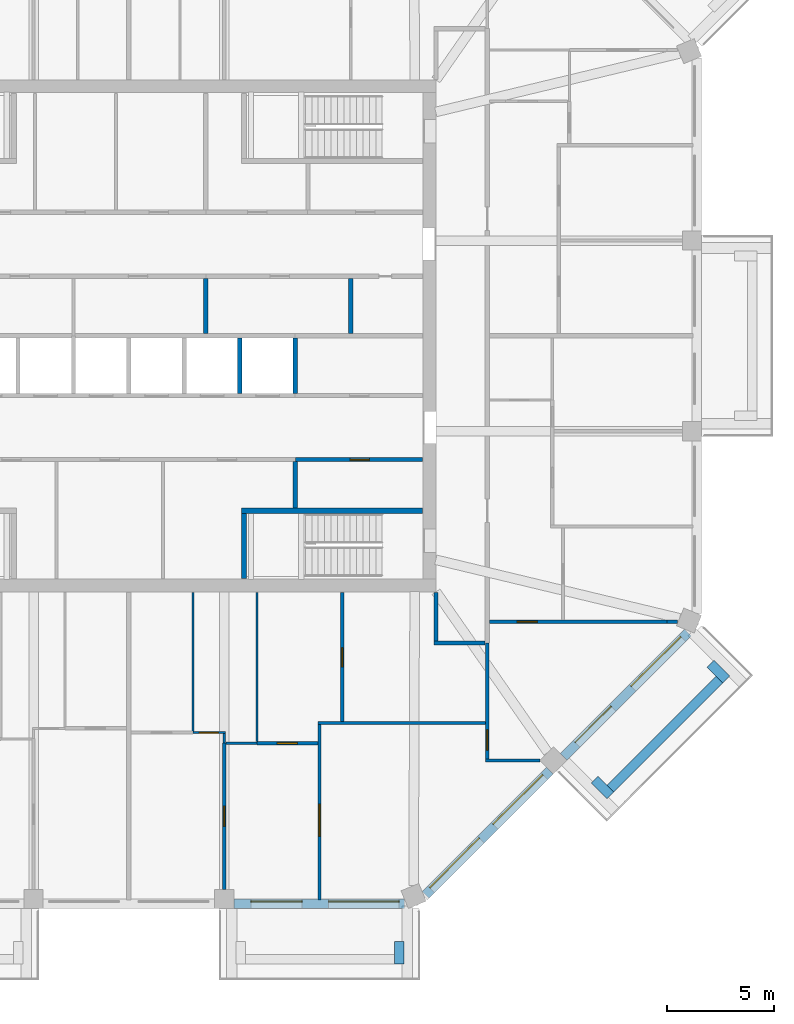
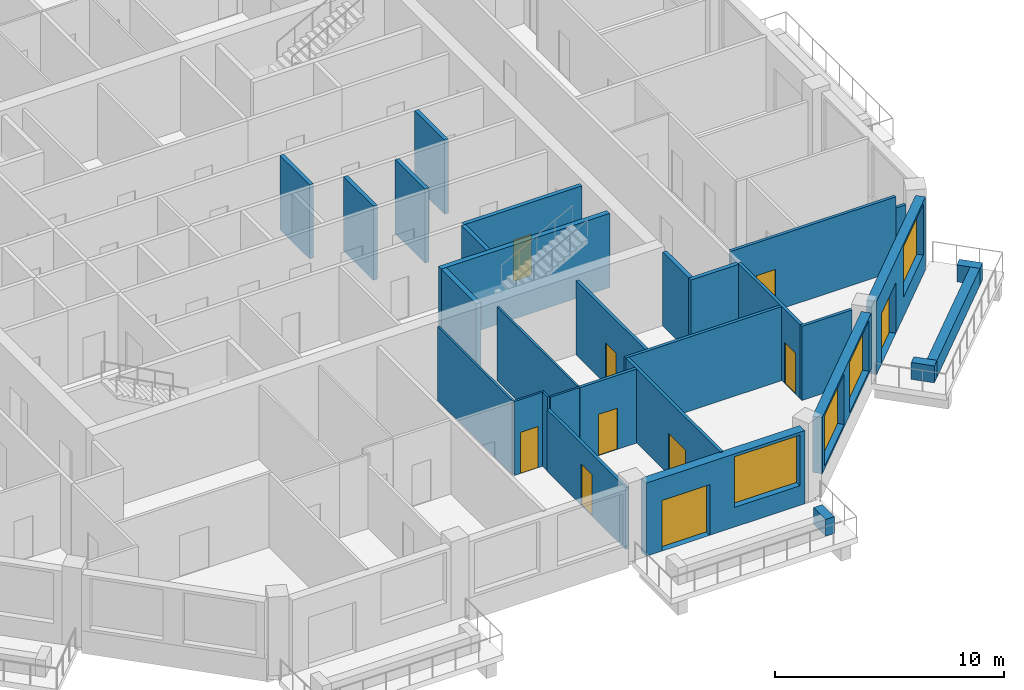
# One storey, part 5 of 12: 31 walls, 10 doors, 4 windows, 14 openings.
"""IFC4 building model written with IfcOpenShell, lengths in metres."""

from ifc_helpers import new_model, si_unit, direction, frame, frame_2d, origin, place, context, subcontext, project, spatial, rectangle, extrude, material, layer, layer_set, type_object, element, fill, save


model = new_model("IFC4")

# Units and contexts
model_context = context("Model", 3, precision=1e-05, world=origin(), true_north=direction((0.0, 1.0)))
body_context = subcontext(model_context, "Body", "Model", "MODEL_VIEW")
ifc_project = project(units=[si_unit("LENGTHUNIT", "METRE"), si_unit("AREAUNIT", "SQUARE_METRE"), si_unit("VOLUMEUNIT", "CUBIC_METRE"), si_unit("PLANEANGLEUNIT", "RADIAN"), si_unit("MASSUNIT", "GRAM", prefix="KILO")], contexts=[model_context])

# Site, building, storey
site_placement = place(None, origin())
site = spatial("IfcSite", under=ifc_project, at=site_placement, CompositionType="ELEMENT")
building_placement = place(site_placement, origin())
building = spatial("IfcBuilding", under=site, at=building_placement, Name="Msitu Wima Residences", CompositionType="ELEMENT")
storey_placement = place(building_placement, frame((0.0, 0.0, 255.89990234375)))
storey = spatial("IfcBuildingStorey", under=building, at=storey_placement, Name="L59", CompositionType="ELEMENT", Elevation=255.89990234375)

# Walls
ifc_material_1 = material(Name="Facing brick")
ifc_layer_1 = layer(ifc_material_1, 0.06494140625, Name="Facing brick")
ifc_material_2 = material(Name="Concrete C40/50", Category="concrete")
ifc_layer_2 = layer(ifc_material_2, 0.156005859375, Name="Concrete C40/50")
ifc_material_3 = material(Name="Waterproofing membrane")
ifc_layer_3 = layer(ifc_material_3, 0.00390625, Name="Waterproofing membrane")
ifc_material_4 = material(Name="Planting soil and planting")
ifc_layer_4 = layer(ifc_material_4, 0.22509765625, Name="Planting soil and planting")
ifc_layer_set_1 = layer_set([ifc_layer_1, ifc_layer_2, ifc_layer_3, ifc_layer_4], Name="Concrete C40/50")
wall_type_1 = type_object("IfcWallType", Name="Balcony planter PLANTER PL450", PredefinedType="USERDEFINED", material=ifc_layer_set_1)
wall_1_placement = place(storey_placement, frame((12.680908203125, -28.39990234375, 0.0), z_axis=(0.0, 0.0, 1.0), x_axis=(0.0, -1.0, 0.0)))
element("IfcWall", 1, at=wall_1_placement, inside=storey, type_object=wall_type_1, Name="Balcony planter S2 L59", ObjectType="PLANTER", PredefinedType="USERDEFINED", context=body_context, shape_type="SweptSolid", body=[
    extrude(rectangle(XDim=1.050048828125, YDim=0.449951171875, at=frame_2d((0.52490234375, 0.0))), origin(), (0.0, 0.0, 1.0), 0.900146484375),
])
wall_2_placement = place(storey_placement, frame((22.572265625, -21.228759765625, 0.0), z_axis=(0.0, 0.0, 1.0), x_axis=(0.707106781187, 0.707106781187, 0.0)))
element("IfcWall", 2, at=wall_2_placement, inside=storey, type_object=wall_type_1, Name="Balcony planter SE1 L59", ObjectType="PLANTER", PredefinedType="USERDEFINED", context=body_context, shape_type="SweptSolid", body=[
    extrude(rectangle(XDim=7.23828125, YDim=0.449951171875, at=frame_2d((3.619140625, 0.0))), origin(), (0.0, 0.0, 1.0), 0.900146484375),
])
for number, where, z_axis, x_axis, name in (
    (3, (21.829833984375, -20.804443359375, 0.0), (0.0, 0.0, 1.0), (0.707106781187, -0.707106781187, 0.0), "Balcony planter SE1 L59"),
    (4, (27.26611328125, -15.3681640625, 0.0), (0.0, 0.0, 1.0), (0.707223014731, -0.706990528533, 0.0), "Balcony planter SE1 L59"),
):
    element("IfcWall", number, at=place(storey_placement, frame(where, z_axis=z_axis, x_axis=x_axis)), inside=storey, type_object=wall_type_1, Name=name, ObjectType="PLANTER", PredefinedType="USERDEFINED", context=body_context, shape_type="SweptSolid", body=[
        extrude(rectangle(XDim=1.050048828125, YDim=0.449951171875, at=frame_2d((0.52490234375, 0.0))), origin(), (0.0, 0.0, 1.0), 0.900146484375),
    ])

# Wall, openings, door, window
ifc_material_5 = material(Name="Brick (red buff mix)", Category="masonry")
ifc_layer_5 = layer(ifc_material_5, 0.449951171875)
ifc_layer_set_2 = layer_set([ifc_layer_5], Name="Brick (red buff mix)")
wall_type_2 = type_object("IfcWallType", Name="Brick infill wall BW450", PredefinedType="SOLIDWALL", material=ifc_layer_set_2)
wall_3_placement = place(storey_placement, frame((4.918701171875, -26.625, 0.0), z_axis=(0.0, 0.0, 1.0), x_axis=(1.0, 0.0, 0.0)))
wall_3 = element("IfcWall", 5, at=wall_3_placement, inside=storey, type_object=wall_type_2, Name="Brick infill wall L59 S2", PredefinedType="SOLIDWALL", context=body_context, shape_type="SweptSolid", body=[
    extrude(rectangle(XDim=8.0, YDim=0.449951171875, at=frame_2d((4.0, 0.0))), origin(), (0.0, 0.0, 1.0), 3.900146484375),
])
opening_1_placement = place(wall_3_placement, frame((0.800048828125, 0.0, 0.0)))
opening_1 = element("IfcOpeningElement", 6, at=opening_1_placement, cuts=wall_3, Name="Opening D57-59.007", PredefinedType="OPENING", context=body_context, shape_type="SweptSolid", body=[
    extrude(rectangle(XDim=2.39990234375, YDim=2.699951171875, at=frame_2d((1.199951171875, 1.35009765625))), frame((0.0, 0.23486328125, 0.0), z_axis=(0.0, -1.0, 0.0), x_axis=(1.0, 0.0, 0.0)), (0.0, 0.0, 1.0), 0.469970703125),
])
opening_2_placement = place(wall_3_placement, frame((4.4501953125, 0.0, 1.050048828125)))
opening_2 = element("IfcOpeningElement", 7, at=opening_2_placement, cuts=wall_3, Name="Opening W57-59.019", PredefinedType="OPENING", context=body_context, shape_type="SweptSolid", body=[
    extrude(rectangle(XDim=3.300048828125, YDim=2.699951171875, at=frame_2d((1.64990234375, 1.35009765625))), frame((0.0, 0.23486328125, 0.0), z_axis=(0.0, -1.0, 0.0), x_axis=(1.0, 0.0, 0.0)), (0.0, 0.0, 1.0), 0.469970703125),
])
ifc_material_6 = material(Name="Anodised aluminium, bronze finish, clear low-emissivity double glazing", Category="aluminium")
door_type_1 = type_object("IfcDoorType", Name="Balcony door D2400x2700", OperationType="SLIDING_TO_LEFT", PredefinedType="DOOR", material=ifc_material_6)
door_1_placement = place(opening_1_placement, origin())
door_1 = element("IfcDoor", 8, at=door_1_placement, inside=storey, type_object=door_type_1, Name="Balcony door L59 S2", OperationType="SINGLE_SWING_LEFT", OverallHeight=2.699951171875, OverallWidth=2.39990234375, PredefinedType="DOOR", context=body_context, shape_type="SweptSolid", body=[
    extrude(rectangle(XDim=2.39990234375, YDim=2.699951171875, at=frame_2d((1.199951171875, 1.35009765625))), frame((0.0, 0.1298828125, 0.0), z_axis=(0.0, -1.0, 0.0), x_axis=(1.0, 0.0, 0.0)), (0.0, 0.0, 1.0), 0.050048828125),
])
fill(opening_1, door_1)
window_type = type_object("IfcWindowType", Name="Window W3300x2700", PartitioningType="DOUBLE_PANEL_VERTICAL", PredefinedType="WINDOW", material=ifc_material_6)
window_1_placement = place(opening_2_placement, origin())
window_1 = element("IfcWindow", 9, at=window_1_placement, inside=storey, type_object=window_type, Name="Window L59 S2.2", OverallHeight=2.699951171875, OverallWidth=3.300048828125, PartitioningType="SINGLE_PANEL", PredefinedType="WINDOW", context=body_context, shape_type="SweptSolid", body=[
    extrude(rectangle(XDim=3.300048828125, YDim=2.699951171875, at=frame_2d((1.64990234375, 1.35009765625))), frame((0.0, 0.135009765625, 0.0), z_axis=(0.0, -1.0, 0.0), x_axis=(1.0, 0.0, 0.0)), (0.0, 0.0, 1.0), 0.06005859375),
])
fill(opening_2, window_1)

# Wall, openings, windows
wall_4_placement = place(storey_placement, frame((13.909423828125, -26.214599609375, 0.900146484375), z_axis=(0.0, 0.0, 1.0), x_axis=(0.707106781187, 0.707106781187, 0.0)))
wall_4 = element("IfcWall", 10, at=wall_4_placement, inside=storey, type_object=wall_type_2, Name="Brick infill wall L59 SE0", PredefinedType="SOLIDWALL", context=body_context, shape_type="SweptSolid", body=[
    extrude(rectangle(XDim=8.251220703125, YDim=0.449951171875, at=frame_2d((4.12548828125, 0.0))), origin(), (0.0, 0.0, 1.0), 3.0),
])
opening_3_placement = place(wall_4_placement, frame((0.37548828125, 0.0, 0.14990234375)))
opening_3 = element("IfcOpeningElement", 11, at=opening_3_placement, cuts=wall_4, Name="Opening W57-59.020", PredefinedType="OPENING", context=body_context, shape_type="SweptSolid", body=[
    extrude(rectangle(XDim=3.300048828125, YDim=2.699951171875, at=frame_2d((1.64990234375, 1.35009765625))), frame((0.0, 0.23486328125, 0.0), z_axis=(0.0, -1.0, 0.0), x_axis=(1.0, 0.0, 0.0)), (0.0, 0.0, 1.0), 0.469970703125),
])
opening_4_placement = place(wall_4_placement, frame((4.57568359375, 0.0, 0.14990234375)))
opening_4 = element("IfcOpeningElement", 12, at=opening_4_placement, cuts=wall_4, Name="Opening W57-59.021", PredefinedType="OPENING", context=body_context, shape_type="SweptSolid", body=[
    extrude(rectangle(XDim=3.300048828125, YDim=2.699951171875, at=frame_2d((1.64990234375, 1.35009765625))), frame((0.0, 0.23486328125, 0.0), z_axis=(0.0, -1.0, 0.0), x_axis=(1.0, 0.0, 0.0)), (0.0, 0.0, 1.0), 0.469970703125),
])
window_2_placement = place(opening_3_placement, origin())
window_2 = element("IfcWindow", 13, at=window_2_placement, inside=storey, type_object=window_type, Name="Window L59 SE0.1", OverallHeight=2.699951171875, OverallWidth=3.300048828125, PartitioningType="SINGLE_PANEL", PredefinedType="WINDOW", context=body_context, shape_type="SweptSolid", body=[
    extrude(rectangle(XDim=3.300048828125, YDim=2.699951171875, at=frame_2d((1.64990234375, 1.35009765625))), frame((0.0, 0.135009765625, 0.0), z_axis=(0.0, -1.0, 0.0), x_axis=(1.0, 0.0, 0.0)), (0.0, 0.0, 1.0), 0.06005859375),
])
fill(opening_3, window_2)
window_3_placement = place(opening_4_placement, origin())
window_3 = element("IfcWindow", 14, at=window_3_placement, inside=storey, type_object=window_type, Name="Window L59 SE0.2", OverallHeight=2.699951171875, OverallWidth=3.300048828125, PartitioningType="SINGLE_PANEL", PredefinedType="WINDOW", context=body_context, shape_type="SweptSolid", body=[
    extrude(rectangle(XDim=3.300048828125, YDim=2.699951171875, at=frame_2d((1.64990234375, 1.35009765625))), frame((0.0, 0.135009765625, 0.0), z_axis=(0.0, -1.0, 0.0), x_axis=(1.0, 0.0, 0.0)), (0.0, 0.0, 1.0), 0.06005859375),
])
fill(opening_4, window_3)

# Wall, openings, door, window
wall_5_placement = place(storey_placement, frame((20.380126953125, -19.743896484375, 0.0), z_axis=(0.0, 0.0, 1.0), x_axis=(0.707106781187, 0.707106781187, 0.0)))
wall_5 = element("IfcWall", 15, at=wall_5_placement, inside=storey, type_object=wall_type_2, Name="Brick infill wall L59 SE1", PredefinedType="SOLIDWALL", context=body_context, shape_type="SweptSolid", body=[
    extrude(rectangle(XDim=8.251220703125, YDim=0.449951171875, at=frame_2d((4.12548828125, 0.0))), origin(), (0.0, 0.0, 1.0), 3.900146484375),
])
opening_5_placement = place(wall_5_placement, frame((0.86279296875, 0.0, 0.0)))
opening_5 = element("IfcOpeningElement", 16, at=opening_5_placement, cuts=wall_5, Name="Opening D57-59.008", PredefinedType="OPENING", context=body_context, shape_type="SweptSolid", body=[
    extrude(rectangle(XDim=2.39990234375, YDim=2.699951171875, at=frame_2d((1.199951171875, 1.35009765625))), frame((0.0, 0.23486328125, 0.0), z_axis=(0.0, -1.0, 0.0), x_axis=(1.0, 0.0, 0.0)), (0.0, 0.0, 1.0), 0.469970703125),
])
opening_6_placement = place(wall_5_placement, frame((4.57568359375, 0.0, 1.050048828125)))
opening_6 = element("IfcOpeningElement", 17, at=opening_6_placement, cuts=wall_5, Name="Opening W57-59.022", PredefinedType="OPENING", context=body_context, shape_type="SweptSolid", body=[
    extrude(rectangle(XDim=3.300048828125, YDim=2.699951171875, at=frame_2d((1.64990234375, 1.35009765625))), frame((0.0, 0.23486328125, 0.0), z_axis=(0.0, -1.0, 0.0), x_axis=(1.0, 0.0, 0.0)), (0.0, 0.0, 1.0), 0.469970703125),
])
door_2_placement = place(opening_5_placement, origin())
door_2 = element("IfcDoor", 18, at=door_2_placement, inside=storey, type_object=door_type_1, Name="Balcony door L59 SE1", OperationType="SINGLE_SWING_LEFT", OverallHeight=2.699951171875, OverallWidth=2.39990234375, PredefinedType="DOOR", context=body_context, shape_type="SweptSolid", body=[
    extrude(rectangle(XDim=2.39990234375, YDim=2.699951171875, at=frame_2d((1.199951171875, 1.35009765625))), frame((0.0, 0.1298828125, 0.0), z_axis=(0.0, -1.0, 0.0), x_axis=(1.0, 0.0, 0.0)), (0.0, 0.0, 1.0), 0.050048828125),
])
fill(opening_5, door_2)
window_4_placement = place(opening_6_placement, origin())
window_4 = element("IfcWindow", 19, at=window_4_placement, inside=storey, type_object=window_type, Name="Window L59 SE1.2", OverallHeight=2.699951171875, OverallWidth=3.300048828125, PartitioningType="SINGLE_PANEL", PredefinedType="WINDOW", context=body_context, shape_type="SweptSolid", body=[
    extrude(rectangle(XDim=3.300048828125, YDim=2.699951171875, at=frame_2d((1.64990234375, 1.35009765625))), frame((0.0, 0.135009765625, 0.0), z_axis=(0.0, -1.0, 0.0), x_axis=(1.0, 0.0, 0.0)), (0.0, 0.0, 1.0), 0.06005859375),
])
fill(opening_6, window_4)

# Walls
ifc_material_7 = material(Name="Plaster")
ifc_layer_6 = layer(ifc_material_7, 0.011962890625, Name="Plaster")
ifc_material_8 = material(Name="Concrete blockwork", Category="masonry")
ifc_layer_7 = layer(ifc_material_8, 0.176025390625, Name="Concrete blockwork")
ifc_layer_8 = layer(ifc_material_7, 0.011962890625, Name="Plaster")
ifc_layer_set_3 = layer_set([ifc_layer_6, ifc_layer_7, ifc_layer_8], Name="Concrete blockwork")
wall_type_3 = type_object("IfcWallType", Name="Corridor wall FW200", PredefinedType="PARTITIONING", material=ifc_layer_set_3)
wall_6_placement = place(storey_placement, frame((14.39990234375, -14.300048828125, 0.0), z_axis=(0.0, 0.0, 1.0), x_axis=(0.0, 1.0, 0.0)))
element("IfcWall", 20, at=wall_6_placement, inside=storey, type_object=wall_type_3, Name="Corridor wall", PredefinedType="PARTITIONING", context=body_context, shape_type="SweptSolid", body=[
    extrude(rectangle(XDim=2.27001953125, YDim=0.199951171875, at=frame_2d((1.135009765625, 0.0))), origin(), (0.0, 0.0, 1.0), 3.9501953125),
])
wall_7_placement = place(storey_placement, frame((14.300048828125, -14.39990234375, 0.0), z_axis=(0.0, 0.0, 1.0), x_axis=(1.0, 0.0, 0.0)))
element("IfcWall", 21, at=wall_7_placement, inside=storey, type_object=wall_type_3, Name="Corridor wall", PredefinedType="PARTITIONING", context=body_context, shape_type="SweptSolid", body=[
    extrude(rectangle(XDim=2.39990234375, YDim=0.199951171875, at=frame_2d((1.199951171875, 0.0))), origin(), (0.0, 0.0, 1.0), 3.9501953125),
])

# Wall, opening, door
ifc_layer_9 = layer(ifc_material_7, 0.011962890625, Name="Plaster")
ifc_layer_10 = layer(ifc_material_8, 0.1259765625, Name="Concrete blockwork")
ifc_layer_11 = layer(ifc_material_7, 0.011962890625, Name="Plaster")
ifc_layer_set_4 = layer_set([ifc_layer_9, ifc_layer_10, ifc_layer_11], Name="Concrete blockwork")
wall_type_4 = type_object("IfcWallType", Name="Partition PW150", PredefinedType="PARTITIONING", material=ifc_layer_set_4)
wall_8_placement = place(storey_placement, frame((4.46875, -25.949951171875, 0.0), z_axis=(0.0, 0.0, 1.0), x_axis=(0.0, 1.0, 0.0)))
wall_8 = element("IfcWall", 22, at=wall_8_placement, inside=storey, type_object=wall_type_4, Name="Partition", PredefinedType="PARTITIONING", context=body_context, shape_type="SweptSolid", body=[
    extrude(rectangle(XDim=6.869873046875, YDim=0.14990234375, at=frame_2d((3.43505859375, 0.0))), origin(), (0.0, 0.0, 1.0), 3.300048828125),
])
opening_7_placement = place(wall_8_placement, frame((2.949951171875, 0.0, 0.0)))
opening_7 = element("IfcOpeningElement", 23, at=opening_7_placement, cuts=wall_8, Name="Opening D57-59.052", PredefinedType="OPENING", context=body_context, shape_type="SweptSolid", body=[
    extrude(rectangle(XDim=0.949951171875, YDim=2.199951171875, at=frame_2d((0.47509765625, 1.10009765625))), frame((0.0, 0.0849609375, 0.0), z_axis=(0.0, -1.0, 0.0), x_axis=(1.0, 0.0, 0.0)), (0.0, 0.0, 1.0), 0.169921875),
])
ifc_material_9 = material(Name="Timber flush door", Category="wood")
door_type_2 = type_object("IfcDoorType", Name="Room door D12 950x2200", OperationType="SINGLE_SWING_LEFT", PredefinedType="DOOR", material=ifc_material_9)
door_3_placement = place(opening_7_placement, origin())
door_3 = element("IfcDoor", 24, at=door_3_placement, inside=storey, type_object=door_type_2, Name="Room door", OperationType="SINGLE_SWING_LEFT", OverallHeight=2.199951171875, OverallWidth=0.949951171875, PredefinedType="DOOR", context=body_context, shape_type="SweptSolid", body=[
    extrude(rectangle(XDim=0.949951171875, YDim=2.199951171875, at=frame_2d((0.47509765625, 1.10009765625))), frame((0.0, 0.02490234375, 0.0), z_axis=(0.0, -1.0, 0.0), x_axis=(1.0, 0.0, 0.0)), (0.0, 0.0, 1.0), 0.050048828125),
])
fill(opening_7, door_3)

wall_9_placement = place(storey_placement, frame((6.0, -19.10009765625, 0.0), z_axis=(0.0, 0.0, 1.0), x_axis=(1.0, 0.0, 0.0)))
wall_9 = element("IfcWall", 25, at=wall_9_placement, inside=storey, type_object=wall_type_4, Name="Partition", PredefinedType="PARTITIONING", context=body_context, shape_type="SweptSolid", body=[
    extrude(rectangle(XDim=2.8623046875, YDim=0.14990234375, at=frame_2d((1.43115234375, 0.0))), origin(), (0.0, 0.0, 1.0), 3.9501953125),
])
opening_8_placement = place(wall_9_placement, frame((0.949951171875, 0.0, 0.0)))
opening_8 = element("IfcOpeningElement", 26, at=opening_8_placement, cuts=wall_9, Name="Opening D57-59.061", PredefinedType="OPENING", context=body_context, shape_type="SweptSolid", body=[
    extrude(rectangle(XDim=0.949951171875, YDim=2.199951171875, at=frame_2d((0.47509765625, 1.10009765625))), frame((0.0, 0.0849609375, 0.0), z_axis=(0.0, -1.0, 0.0), x_axis=(1.0, 0.0, 0.0)), (0.0, 0.0, 1.0), 0.169921875),
])
door_4_placement = place(opening_8_placement, origin())
door_4 = element("IfcDoor", 27, at=door_4_placement, inside=storey, type_object=door_type_2, Name="Room door", OperationType="SINGLE_SWING_LEFT", OverallHeight=2.199951171875, OverallWidth=0.949951171875, PredefinedType="DOOR", context=body_context, shape_type="SweptSolid", body=[
    extrude(rectangle(XDim=0.949951171875, YDim=2.199951171875, at=frame_2d((0.47509765625, 1.10009765625))), frame((0.0, 0.02490234375, 0.0), z_axis=(0.0, -1.0, 0.0), x_axis=(1.0, 0.0, 0.0)), (0.0, 0.0, 1.0), 0.050048828125),
])
fill(opening_8, door_4)

wall_10_placement = place(storey_placement, frame((8.937255859375, -26.455078125, 0.0), z_axis=(0.0, 0.0, 1.0), x_axis=(0.0, 1.0, 0.0)))
wall_10 = element("IfcWall", 28, at=wall_10_placement, inside=storey, type_object=wall_type_4, Name="Partition", PredefinedType="PARTITIONING", context=body_context, shape_type="SweptSolid", body=[
    extrude(rectangle(XDim=8.22998046875, YDim=0.14990234375, at=frame_2d((4.114990234375, 0.0))), origin(), (0.0, 0.0, 1.0), 3.9501953125),
])
opening_9_placement = place(wall_10_placement, frame((3.0, 0.0, 0.0)))
opening_9 = element("IfcOpeningElement", 29, at=opening_9_placement, cuts=wall_10, Name="Opening D57-59.060", PredefinedType="OPENING", context=body_context, shape_type="SweptSolid", body=[
    extrude(rectangle(XDim=1.5, YDim=2.199951171875, at=frame_2d((0.75, 1.10009765625))), frame((0.0, 0.0849609375, 0.0), z_axis=(0.0, -1.0, 0.0), x_axis=(1.0, 0.0, 0.0)), (0.0, 0.0, 1.0), 0.169921875),
])
ifc_material_10 = material(Name="Timber double door", Category="wood")
door_type_3 = type_object("IfcDoorType", Name="Double door D04 1500x2200", OperationType="DOUBLE_DOOR_SINGLE_SWING", PredefinedType="DOOR", material=ifc_material_10)
door_5_placement = place(opening_9_placement, origin())
door_5 = element("IfcDoor", 30, at=door_5_placement, inside=storey, type_object=door_type_3, Name="Double door", OperationType="DOUBLE_DOOR_SINGLE_SWING", OverallHeight=2.199951171875, OverallWidth=1.5, PredefinedType="DOOR", context=body_context, shape_type="SweptSolid", body=[
    extrude(rectangle(XDim=1.5, YDim=2.199951171875, at=frame_2d((0.75, 1.10009765625))), frame((0.0, 0.02490234375, 0.0), z_axis=(0.0, -1.0, 0.0), x_axis=(1.0, 0.0, 0.0)), (0.0, 0.0, 1.0), 0.050048828125),
])
fill(opening_9, door_5)

# Wall
wall_11_placement = place(storey_placement, frame((8.8623046875, -18.14990234375, 0.0), z_axis=(0.0, 0.0, 1.0), x_axis=(1.0, 0.0, 0.0)))
element("IfcWall", 31, at=wall_11_placement, inside=storey, type_object=wall_type_4, Name="Partition", PredefinedType="PARTITIONING", context=body_context, shape_type="SweptSolid", body=[
    extrude(rectangle(XDim=7.86279296875, YDim=0.14990234375, at=frame_2d((3.931396484375, 0.0))), origin(), (0.0, 0.0, 1.0), 3.9501953125),
])

# Wall, opening, door
wall_12_placement = place(storey_placement, frame((10.0, -18.074951171875, 0.0), z_axis=(0.0, 0.0, 1.0), x_axis=(0.0, 1.0, 0.0)))
wall_12 = element("IfcWall", 32, at=wall_12_placement, inside=storey, type_object=wall_type_4, Name="Partition", PredefinedType="PARTITIONING", context=body_context, shape_type="SweptSolid", body=[
    extrude(rectangle(XDim=6.044921875, YDim=0.14990234375, at=frame_2d((3.0224609375, 0.0))), origin(), (0.0, 0.0, 1.0), 3.9501953125),
])
opening_10_placement = place(wall_12_placement, frame((2.550048828125, 0.0, 0.0)))
opening_10 = element("IfcOpeningElement", 33, at=opening_10_placement, cuts=wall_12, Name="Opening D57-59.062", PredefinedType="OPENING", context=body_context, shape_type="SweptSolid", body=[
    extrude(rectangle(XDim=0.89990234375, YDim=2.199951171875, at=frame_2d((0.449951171875, 1.10009765625))), frame((0.0, 0.0849609375, 0.0), z_axis=(0.0, -1.0, 0.0), x_axis=(1.0, 0.0, 0.0)), (0.0, 0.0, 1.0), 0.169921875),
])
door_type_4 = type_object("IfcDoorType", Name="Service door D05 900x2200", OperationType="SINGLE_SWING_LEFT", PredefinedType="DOOR", material=ifc_material_9)
door_6_placement = place(opening_10_placement, origin())
door_6 = element("IfcDoor", 34, at=door_6_placement, inside=storey, type_object=door_type_4, Name="Service door", OperationType="SINGLE_SWING_RIGHT", OverallHeight=2.199951171875, OverallWidth=0.89990234375, PredefinedType="DOOR", context=body_context, shape_type="SweptSolid", body=[
    extrude(rectangle(XDim=0.89990234375, YDim=2.199951171875, at=frame_2d((0.449951171875, 1.10009765625))), frame((0.0, 0.02490234375, 0.0), z_axis=(0.0, -1.0, 0.0), x_axis=(1.0, 0.0, 0.0)), (0.0, 0.0, 1.0), 0.050048828125),
])
fill(opening_10, door_6)

wall_13_placement = place(storey_placement, frame((16.800048828125, -19.827880859375, 0.0), z_axis=(0.0, 0.0, 1.0), x_axis=(0.0, 1.0, 0.0)))
wall_13 = element("IfcWall", 35, at=wall_13_placement, inside=storey, type_object=wall_type_4, Name="Partition", PredefinedType="PARTITIONING", context=body_context, shape_type="SweptSolid", body=[
    extrude(rectangle(XDim=5.427978515625, YDim=0.14990234375, at=frame_2d((2.7138671875, 0.0))), origin(), (0.0, 0.0, 1.0), 3.9501953125),
])
opening_11_placement = place(wall_13_placement, frame((0.39990234375, 0.0, 0.0)))
opening_11 = element("IfcOpeningElement", 36, at=opening_11_placement, cuts=wall_13, Name="Opening D57-59.059", PredefinedType="OPENING", context=body_context, shape_type="SweptSolid", body=[
    extrude(rectangle(XDim=0.949951171875, YDim=2.199951171875, at=frame_2d((0.47509765625, 1.10009765625))), frame((0.0, 0.0849609375, 0.0), z_axis=(0.0, -1.0, 0.0), x_axis=(1.0, 0.0, 0.0)), (0.0, 0.0, 1.0), 0.169921875),
])
door_7_placement = place(opening_11_placement, origin())
door_7 = element("IfcDoor", 37, at=door_7_placement, inside=storey, type_object=door_type_2, Name="Room door", OperationType="SINGLE_SWING_RIGHT", OverallHeight=2.199951171875, OverallWidth=0.949951171875, PredefinedType="DOOR", context=body_context, shape_type="SweptSolid", body=[
    extrude(rectangle(XDim=0.949951171875, YDim=2.199951171875, at=frame_2d((0.47509765625, 1.10009765625))), frame((0.0, 0.02490234375, 0.0), z_axis=(0.0, -1.0, 0.0), x_axis=(1.0, 0.0, 0.0)), (0.0, 0.0, 1.0), 0.050048828125),
])
fill(opening_11, door_7)

# Wall
wall_14_placement = place(storey_placement, frame((16.72509765625, -19.90283203125, 0.0), z_axis=(0.0, 0.0, 1.0), x_axis=(1.0, 0.0, 0.0)))
element("IfcWall", 38, at=wall_14_placement, inside=storey, type_object=wall_type_4, Name="Partition", PredefinedType="PARTITIONING", context=body_context, shape_type="SweptSolid", body=[
    extrude(rectangle(XDim=2.54150390625, YDim=0.14990234375, at=frame_2d((1.270751953125, 0.0))), origin(), (0.0, 0.0, 1.0), 3.9501953125),
])

# Wall, opening, door
wall_15_placement = place(storey_placement, frame((16.89990234375, -13.406005859375, 0.0), z_axis=(0.0, 0.0, 1.0), x_axis=(1.0, 0.0, 0.0)))
wall_15 = element("IfcWall", 39, at=wall_15_placement, inside=storey, type_object=wall_type_4, Name="Partition", PredefinedType="PARTITIONING", context=body_context, shape_type="SweptSolid", body=[
    extrude(rectangle(XDim=8.32421875, YDim=0.14990234375, at=frame_2d((4.162109375, 0.0))), origin(), (0.0, 0.0, 1.0), 3.9501953125),
])
opening_12_placement = place(wall_15_placement, frame((1.300048828125, 0.0, 0.0)))
opening_12 = element("IfcOpeningElement", 40, at=opening_12_placement, cuts=wall_15, Name="Opening D57-59.058", PredefinedType="OPENING", context=body_context, shape_type="SweptSolid", body=[
    extrude(rectangle(XDim=0.949951171875, YDim=2.199951171875, at=frame_2d((0.47509765625, 1.10009765625))), frame((0.0, 0.0849609375, 0.0), z_axis=(0.0, -1.0, 0.0), x_axis=(1.0, 0.0, 0.0)), (0.0, 0.0, 1.0), 0.169921875),
])
door_8_placement = place(opening_12_placement, origin())
door_8 = element("IfcDoor", 41, at=door_8_placement, inside=storey, type_object=door_type_2, Name="Room door", OperationType="SINGLE_SWING_RIGHT", OverallHeight=2.199951171875, OverallWidth=0.949951171875, PredefinedType="DOOR", context=body_context, shape_type="SweptSolid", body=[
    extrude(rectangle(XDim=0.949951171875, YDim=2.199951171875, at=frame_2d((0.47509765625, 1.10009765625))), frame((0.0, 0.02490234375, 0.0), z_axis=(0.0, -1.0, 0.0), x_axis=(1.0, 0.0, 0.0)), (0.0, 0.0, 1.0), 0.050048828125),
])
fill(opening_12, door_8)

# Walls
wall_16_placement = place(storey_placement, frame((25.22412109375, -13.406005859375, 0.0), z_axis=(0.0, 0.0, 1.0), x_axis=(1.0, 0.0, 0.0)))
element("IfcWall", 42, at=wall_16_placement, inside=storey, type_object=wall_type_4, Name="Partition", PredefinedType="PARTITIONING", context=body_context, shape_type="SweptSolid", body=[
    extrude(rectangle(XDim=0.507080078125, YDim=0.14990234375, at=frame_2d((0.25341796875, 0.0))), origin(), (0.0, 0.0, 1.0), 3.35009765625),
])
ifc_layer_12 = layer(ifc_material_7, 0.011962890625, Name="Plaster")
ifc_material_11 = material(Name="Reinforced concrete blockwork", Category="masonry")
ifc_layer_13 = layer(ifc_material_11, 0.176025390625, Name="Reinforced concrete blockwork")
ifc_layer_14 = layer(ifc_material_7, 0.011962890625, Name="Plaster")
ifc_layer_set_5 = layer_set([ifc_layer_12, ifc_layer_13, ifc_layer_14], Name="Reinforced concrete blockwork")
wall_type_5 = type_object("IfcWallType", Name="Plant and riser wall PL200", PredefinedType="PARTITIONING", material=ifc_layer_set_5)
wall_17_placement = place(storey_placement, frame((3.60009765625, 0.10009765625, 0.0), z_axis=(0.0, 0.0, 1.0), x_axis=(0.0, 1.0, 0.0)))
element("IfcWall", 43, at=wall_17_placement, inside=storey, type_object=wall_type_5, Name="Plant and riser wall", PredefinedType="PARTITIONING", context=body_context, shape_type="SweptSolid", body=[
    extrude(rectangle(XDim=2.599853515625, YDim=0.199951171875, at=frame_2d((1.2998046875, 0.0))), origin(), (0.0, 0.0, 1.0), 3.9501953125),
])

# Wall, opening, door
wall_18_placement = place(storey_placement, frame((7.820068359375, -5.800048828125, 0.0), z_axis=(0.0, 0.0, 1.0), x_axis=(1.0, 0.0, 0.0)))
wall_18 = element("IfcWall", 44, at=wall_18_placement, inside=storey, type_object=wall_type_5, Name="Plant and riser wall", PredefinedType="PARTITIONING", context=body_context, shape_type="SweptSolid", body=[
    extrude(rectangle(XDim=5.949951171875, YDim=0.199951171875, at=frame_2d((2.97509765625, 0.0))), origin(), (0.0, 0.0, 1.0), 3.9501953125),
])
opening_13_placement = place(wall_18_placement, frame((2.550048828125, 0.0, 0.0)))
opening_13 = element("IfcOpeningElement", 45, at=opening_13_placement, cuts=wall_18, Name="Opening D57-59.076", PredefinedType="OPENING", context=body_context, shape_type="SweptSolid", body=[
    extrude(rectangle(XDim=0.89990234375, YDim=2.199951171875, at=frame_2d((0.449951171875, 1.10009765625))), frame((0.0, 0.10986328125, 0.0), z_axis=(0.0, -1.0, 0.0), x_axis=(1.0, 0.0, 0.0)), (0.0, 0.0, 1.0), 0.219970703125),
])
door_9_placement = place(opening_13_placement, origin())
door_9 = element("IfcDoor", 46, at=door_9_placement, inside=storey, type_object=door_type_4, Name="Service door", OperationType="SINGLE_SWING_RIGHT", OverallHeight=2.199951171875, OverallWidth=0.89990234375, PredefinedType="DOOR", context=body_context, shape_type="SweptSolid", body=[
    extrude(rectangle(XDim=0.89990234375, YDim=2.199951171875, at=frame_2d((0.449951171875, 1.10009765625))), frame((0.0, 0.02490234375, 0.0), z_axis=(0.0, -1.0, 0.0), x_axis=(1.0, 0.0, 0.0)), (0.0, 0.0, 1.0), 0.050048828125),
])
fill(opening_13, door_9)

# Walls
wall_19_placement = place(storey_placement, frame((7.800048828125, -8.074951171875, 0.0), z_axis=(0.0, 0.0, 1.0), x_axis=(0.0, 1.0, 0.0)))
element("IfcWall", 47, at=wall_19_placement, inside=storey, type_object=wall_type_5, Name="Plant and riser wall", PredefinedType="PARTITIONING", context=body_context, shape_type="SweptSolid", body=[
    extrude(rectangle(XDim=2.175048828125, YDim=0.199951171875, at=frame_2d((1.08740234375, 0.0))), origin(), (0.0, 0.0, 1.0), 3.9501953125),
])
wall_20_placement = place(storey_placement, frame((10.39990234375, 0.10009765625, 0.0), z_axis=(0.0, 0.0, 1.0), x_axis=(0.0, 1.0, 0.0)))
element("IfcWall", 48, at=wall_20_placement, inside=storey, type_object=wall_type_5, Name="Plant and riser wall", PredefinedType="PARTITIONING", context=body_context, shape_type="SweptSolid", body=[
    extrude(rectangle(XDim=2.599853515625, YDim=0.199951171875, at=frame_2d((1.2998046875, 0.0))), origin(), (0.0, 0.0, 1.0), 3.9501953125),
])
ifc_material_12 = material(Name="Fire-rated board")
ifc_layer_15 = layer(ifc_material_12, 0.02490234375, Name="Fire-rated board")
ifc_material_13 = material(Name="Light-gauge stud framing with mineral wool")
ifc_layer_16 = layer(ifc_material_13, 0.14990234375, Name="Light-gauge stud framing with mineral wool")
ifc_layer_17 = layer(ifc_material_12, 0.02490234375, Name="Fire-rated board")
ifc_layer_set_6 = layer_set([ifc_layer_15, ifc_layer_16, ifc_layer_17], Name="Light-gauge stud framing with mineral wool")
wall_type_6 = type_object("IfcWallType", Name="Shaft wall SH200", PredefinedType="PARTITIONING", material=ifc_layer_set_6)
for number, where, z_axis, x_axis, name in (
    (49, (5.199951171875, -2.699951171875, 0.0), (0.0, 0.0, 1.0), (0.0, 1.0, 0.0), "Shaft wall"),
    (50, (7.800048828125, -2.699951171875, 0.0), (0.0, 0.0, 1.0), (0.0, 1.0, 0.0), "Shaft wall"),
):
    element("IfcWall", number, at=place(storey_placement, frame(where, z_axis=z_axis, x_axis=x_axis)), inside=storey, type_object=wall_type_6, Name=name, PredefinedType="PARTITIONING", context=body_context, shape_type="SweptSolid", body=[
        extrude(rectangle(XDim=2.599853515625, YDim=0.199951171875, at=frame_2d((1.2998046875, 0.0))), origin(), (0.0, 0.0, 1.0), 3.9501953125),
    ])
ifc_material_14 = material(Name="Concrete C50/60", Category="concrete")
ifc_layer_18 = layer(ifc_material_14, 0.25)
ifc_layer_set_7 = layer_set([ifc_layer_18], Name="Concrete C50/60")
wall_type_7 = type_object("IfcWallType", Name="Stair enclosure wall SW250", PredefinedType="SHEAR", material=ifc_layer_set_7)
wall_21_placement = place(storey_placement, frame((5.39990234375, -11.3701171875, 0.0), z_axis=(0.0, 0.0, 1.0), x_axis=(0.0, 1.0, 0.0)))
element("IfcWall", 51, at=wall_21_placement, inside=storey, type_object=wall_type_7, Name="Stair enclosure wall", PredefinedType="SHEAR", context=body_context, shape_type="SweptSolid", body=[
    extrude(rectangle(XDim=3.045166015625, YDim=0.25, at=frame_2d((1.5224609375, 0.0))), origin(), (0.0, 0.0, 1.0), 3.9501953125),
])
wall_22_placement = place(storey_placement, frame((5.27490234375, -8.199951171875, 0.0), z_axis=(0.0, 0.0, 1.0), x_axis=(1.0, 0.0, 0.0)))
element("IfcWall", 52, at=wall_22_placement, inside=storey, type_object=wall_type_7, Name="Stair enclosure wall", PredefinedType="SHEAR", context=body_context, shape_type="SweptSolid", body=[
    extrude(rectangle(XDim=8.4951171875, YDim=0.25, at=frame_2d((4.24755859375, 0.0))), origin(), (0.0, 0.0, 1.0), 3.9501953125),
])

# Wall, opening, door
ifc_material_15 = material(Name="Ceramic tiles")
ifc_layer_19 = layer(ifc_material_15, 0.008056640625, Name="Ceramic tiles")
ifc_material_16 = material(Name="Moisture-resistant board")
ifc_layer_20 = layer(ifc_material_16, 0.012451171875, Name="Moisture-resistant board")
ifc_layer_21 = layer(ifc_material_13, 0.06689453125, Name="Light-gauge stud framing with mineral wool")
ifc_layer_22 = layer(ifc_material_16, 0.012451171875, Name="Moisture-resistant board")
ifc_layer_set_8 = layer_set([ifc_layer_19, ifc_layer_20, ifc_layer_21, ifc_layer_22], Name="Light-gauge stud framing with mineral wool")
wall_type_8 = type_object("IfcWallType", Name="Wet wall PW100", PredefinedType="PARTITIONING", material=ifc_layer_set_8)
wall_23_placement = place(storey_placement, frame((3.0, -18.60009765625, 0.0), z_axis=(0.0, 0.0, 1.0), x_axis=(1.0, 0.0, 0.0)))
wall_23 = element("IfcWall", 53, at=wall_23_placement, inside=storey, type_object=wall_type_8, Name="Wet wall", PredefinedType="PARTITIONING", context=body_context, shape_type="SweptSolid", body=[
    extrude(rectangle(XDim=1.5185546875, YDim=0.10009765625, at=frame_2d((0.75927734375, 0.0))), origin(), (0.0, 0.0, 1.0), 3.9501953125),
])
opening_14_placement = place(wall_23_placement, frame((0.300048828125, 0.0, 0.0)))
opening_14 = element("IfcOpeningElement", 54, at=opening_14_placement, cuts=wall_23, Name="Opening D57-59.054", PredefinedType="OPENING", context=body_context, shape_type="SweptSolid", body=[
    extrude(rectangle(XDim=0.89990234375, YDim=2.199951171875, at=frame_2d((0.449951171875, 1.10009765625))), frame((0.0, 0.06005859375, 0.0), z_axis=(0.0, -1.0, 0.0), x_axis=(1.0, 0.0, 0.0)), (0.0, 0.0, 1.0), 0.1201171875),
])
ifc_material_17 = material(Name="Timber flush door, moisture resistant", Category="wood")
door_type_5 = type_object("IfcDoorType", Name="Bathroom door D03 900x2200", OperationType="SINGLE_SWING_LEFT", PredefinedType="DOOR", material=ifc_material_17)
door_10_placement = place(opening_14_placement, origin())
door_10 = element("IfcDoor", 55, at=door_10_placement, inside=storey, type_object=door_type_5, Name="Bathroom door", OperationType="SINGLE_SWING_LEFT", OverallHeight=2.199951171875, OverallWidth=0.89990234375, PredefinedType="DOOR", context=body_context, shape_type="SweptSolid", body=[
    extrude(rectangle(XDim=0.89990234375, YDim=2.199951171875, at=frame_2d((0.449951171875, 1.10009765625))), frame((0.0, 0.02490234375, 0.0), z_axis=(0.0, -1.0, 0.0), x_axis=(1.0, 0.0, 0.0)), (0.0, 0.0, 1.0), 0.050048828125),
])
fill(opening_14, door_10)

# Walls
wall_24_placement = place(storey_placement, frame((3.0, -18.550048828125, 0.0), z_axis=(0.0, 0.0, 1.0), x_axis=(0.0, 1.0, 0.0)))
element("IfcWall", 56, at=wall_24_placement, inside=storey, type_object=wall_type_8, Name="Wet wall", PredefinedType="PARTITIONING", context=body_context, shape_type="SweptSolid", body=[
    extrude(rectangle(XDim=6.52001953125, YDim=0.10009765625, at=frame_2d((3.260009765625, 0.0))), origin(), (0.0, 0.0, 1.0), 3.9501953125),
])
wall_25_placement = place(storey_placement, frame((4.46875, -19.080078125, 0.0), z_axis=(0.0, 0.0, 1.0), x_axis=(0.0, 1.0, 0.0)))
element("IfcWall", 57, at=wall_25_placement, inside=storey, type_object=wall_type_8, Name="Wet wall", PredefinedType="PARTITIONING", context=body_context, shape_type="SweptSolid", body=[
    extrude(rectangle(XDim=0.43017578125, YDim=0.10009765625, at=frame_2d((0.215087890625, 0.0))), origin(), (0.0, 0.0, 1.0), 3.9501953125),
])
wall_26_placement = place(storey_placement, frame((4.543701171875, -19.10009765625, 0.0), z_axis=(0.0, 0.0, 1.0), x_axis=(1.0, 0.0, 0.0)))
element("IfcWall", 58, at=wall_26_placement, inside=storey, type_object=wall_type_8, Name="Wet wall", PredefinedType="PARTITIONING", context=body_context, shape_type="SweptSolid", body=[
    extrude(rectangle(XDim=1.456298828125, YDim=0.10009765625, at=frame_2d((0.72802734375, 0.0))), origin(), (0.0, 0.0, 1.0), 3.9501953125),
])
wall_27_placement = place(storey_placement, frame((6.0, -19.02490234375, 0.0), z_axis=(0.0, 0.0, 1.0), x_axis=(0.0, 1.0, 0.0)))
element("IfcWall", 59, at=wall_27_placement, inside=storey, type_object=wall_type_8, Name="Wet wall", PredefinedType="PARTITIONING", context=body_context, shape_type="SweptSolid", body=[
    extrude(rectangle(XDim=6.994873046875, YDim=0.10009765625, at=frame_2d((3.49755859375, 0.0))), origin(), (0.0, 0.0, 1.0), 3.9501953125),
])

save(model, "model.ifc")
